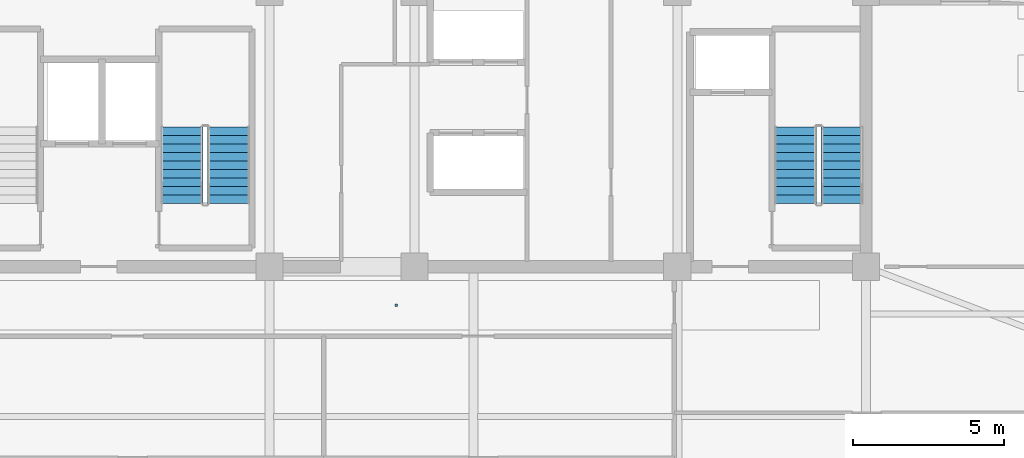
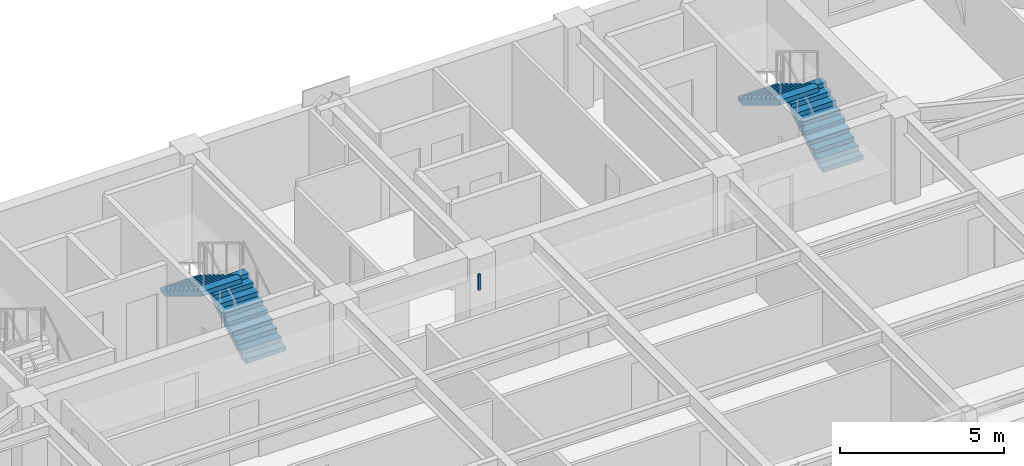
# One storey, part 9 of 13: 4 stair flights, 1 discrete accessory, 2 elements without a shape of their own.
"""IFC4 building model written with IfcOpenShell, lengths in metres."""

from ifc_helpers import new_model, si_unit, direction, frame, origin, origin_2d, place, context, subcontext, project, spatial, polyline, rectangle, outline, extrude, source, transform, mapped, material, type_object, element, aggregate, save


model = new_model("IFC4")

# Units and contexts
model_context = context("Model", 3, precision=1e-05, world=origin(), true_north=direction((0.0, 1.0)))
body_context = subcontext(model_context, "Body", "Model", "MODEL_VIEW")
ifc_project = project(units=[si_unit("LENGTHUNIT", "METRE"), si_unit("AREAUNIT", "SQUARE_METRE"), si_unit("VOLUMEUNIT", "CUBIC_METRE"), si_unit("PLANEANGLEUNIT", "RADIAN"), si_unit("MASSUNIT", "GRAM", prefix="KILO")], contexts=[model_context])

# Site, building, storey
site_placement = place(None, origin())
site = spatial("IfcSite", under=ifc_project, at=site_placement, CompositionType="ELEMENT")
building_placement = place(site_placement, origin())
building = spatial("IfcBuilding", under=site, at=building_placement, Name="Giltprow Tower", CompositionType="ELEMENT")
storey_placement = place(building_placement, frame((0.0, 0.0, 332.300048828125)))
storey = spatial("IfcBuildingStorey", under=building, at=storey_placement, Name="L86", CompositionType="ELEMENT", Elevation=332.300048828125)

# Stair, stair flights
ifc_material_1 = material(Name="Concrete C40", Category="concrete")
stair_type_1 = type_object("IfcStairType", Name="STR-ST-2", PredefinedType="HALF_TURN_STAIR", material=ifc_material_1)
stair_1_placement = place(storey_placement, origin())
stair_1 = element("IfcStair", 1, at=stair_1_placement, inside=storey, type_object=stair_type_1, Name="L86 Core Exit Stair ST-2", PredefinedType="HALF_TURN_STAIR")
stair_flight_type_1 = type_object("IfcStairFlightType", Name="SFL-ST-2", PredefinedType="STRAIGHT", material=ifc_material_1)
stair_flight_1_placement = place(storey_placement, frame((29.4599609375, 39.550048828125, 0.0), z_axis=(0.0, 0.0, 1.0), x_axis=(0.0, 1.0, 0.0)))
stair_flight_1 = element("IfcStairFlight", 2, at=stair_flight_1_placement, type_object=stair_flight_type_1, Name="ST-2 flight 1", NumberOfRisers=10, NumberOfTreads=9, PredefinedType="STRAIGHT", RiserHeight=0.17, TreadLength=0.28, context=body_context, shape_type="SweptSolid", body=[
    extrude(outline(polyline([(0.0, 0.0), (0.0, 0.169921875), (0.280029296875, 0.169921875), (0.280029296875, 0.340087890625), (0.56005859375, 0.340087890625), (0.56005859375, 0.510009765625), (0.840087890625, 0.510009765625), (0.840087890625, 0.679931640625), (1.1201171875, 0.679931640625), (1.1201171875, 0.85009765625), (1.39990234375, 0.85009765625), (1.39990234375, 1.02001953125), (1.679931640625, 1.02001953125), (1.679931640625, 1.18994140625), (1.9599609375, 1.18994140625), (1.9599609375, 1.360107421875), (2.239990234375, 1.360107421875), (2.239990234375, 1.530029296875), (2.52001953125, 1.530029296875), (2.52001953125, 1.699951171875), (2.52001953125, 1.354736328125), (0.288818359375, 0.0), (0.0, 0.0)])), frame((0.0, 0.699951171875, 0.0), z_axis=(0.0, -1.0, 0.0), x_axis=(1.0, 0.0, 0.0)), (0.0, 0.0, 1.0), 1.39990234375),
])
stair_flight_2_placement = place(storey_placement, frame((27.89990234375, 42.070068359375, 1.699951171875), z_axis=(0.0, 0.0, 1.0), x_axis=(0.0, -1.0, 0.0)))
stair_flight_2 = element("IfcStairFlight", 3, at=stair_flight_2_placement, type_object=stair_flight_type_1, Name="ST-2 flight 2", NumberOfRisers=10, NumberOfTreads=9, PredefinedType="STRAIGHT", RiserHeight=0.17, TreadLength=0.28, context=body_context, shape_type="SweptSolid", body=[
    extrude(outline(polyline([(0.0, 0.0), (0.0, 0.169921875), (0.280029296875, 0.169921875), (0.280029296875, 0.340087890625), (0.56005859375, 0.340087890625), (0.56005859375, 0.510009765625), (0.840087890625, 0.510009765625), (0.840087890625, 0.679931640625), (1.1201171875, 0.679931640625), (1.1201171875, 0.85009765625), (1.39990234375, 0.85009765625), (1.39990234375, 1.02001953125), (1.679931640625, 1.02001953125), (1.679931640625, 1.18994140625), (1.9599609375, 1.18994140625), (1.9599609375, 1.360107421875), (2.239990234375, 1.360107421875), (2.239990234375, 1.530029296875), (2.52001953125, 1.530029296875), (2.52001953125, 1.699951171875), (2.52001953125, 1.354736328125), (0.288818359375, 0.0), (0.0, 0.0)])), frame((0.0, 0.699951171875, 0.0), z_axis=(0.0, -1.0, 0.0), x_axis=(1.0, 0.0, 0.0)), (0.0, 0.0, 1.0), 1.39990234375),
])
aggregate(stair_1, [stair_flight_1, stair_flight_2])

stair_type_2 = type_object("IfcStairType", Name="STR-ST-3", PredefinedType="HALF_TURN_STAIR", material=ifc_material_1)
stair_2_placement = place(storey_placement, origin())
stair_2 = element("IfcStair", 4, at=stair_2_placement, inside=storey, type_object=stair_type_2, Name="L86 Core Exit Stair ST-3", PredefinedType="HALF_TURN_STAIR")
stair_flight_type_2 = type_object("IfcStairFlightType", Name="SFL-ST-3", PredefinedType="STRAIGHT", material=ifc_material_1)
stair_flight_3_placement = place(storey_placement, frame((49.760009765625, 39.550048828125, 0.0), z_axis=(0.0, 0.0, 1.0), x_axis=(0.0, 1.0, 0.0)))
stair_flight_3 = element("IfcStairFlight", 5, at=stair_flight_3_placement, type_object=stair_flight_type_2, Name="ST-3 flight 1", NumberOfRisers=10, NumberOfTreads=9, PredefinedType="STRAIGHT", RiserHeight=0.17, TreadLength=0.28, context=body_context, shape_type="SweptSolid", body=[
    extrude(outline(polyline([(0.0, 0.0), (0.0, 0.169921875), (0.280029296875, 0.169921875), (0.280029296875, 0.340087890625), (0.56005859375, 0.340087890625), (0.56005859375, 0.510009765625), (0.840087890625, 0.510009765625), (0.840087890625, 0.679931640625), (1.1201171875, 0.679931640625), (1.1201171875, 0.85009765625), (1.39990234375, 0.85009765625), (1.39990234375, 1.02001953125), (1.679931640625, 1.02001953125), (1.679931640625, 1.18994140625), (1.9599609375, 1.18994140625), (1.9599609375, 1.360107421875), (2.239990234375, 1.360107421875), (2.239990234375, 1.530029296875), (2.52001953125, 1.530029296875), (2.52001953125, 1.699951171875), (2.52001953125, 1.354736328125), (0.288818359375, 0.0), (0.0, 0.0)])), frame((0.0, 0.699951171875, 0.0), z_axis=(0.0, -1.0, 0.0), x_axis=(1.0, 0.0, 0.0)), (0.0, 0.0, 1.0), 1.39990234375),
])
stair_flight_4_placement = place(storey_placement, frame((48.199951171875, 42.070068359375, 1.699951171875), z_axis=(0.0, 0.0, 1.0), x_axis=(0.0, -1.0, 0.0)))
stair_flight_4 = element("IfcStairFlight", 6, at=stair_flight_4_placement, type_object=stair_flight_type_2, Name="ST-3 flight 2", NumberOfRisers=10, NumberOfTreads=9, PredefinedType="STRAIGHT", RiserHeight=0.17, TreadLength=0.28, context=body_context, shape_type="SweptSolid", body=[
    extrude(outline(polyline([(0.0, 0.0), (0.0, 0.169921875), (0.280029296875, 0.169921875), (0.280029296875, 0.340087890625), (0.56005859375, 0.340087890625), (0.56005859375, 0.510009765625), (0.840087890625, 0.510009765625), (0.840087890625, 0.679931640625), (1.1201171875, 0.679931640625), (1.1201171875, 0.85009765625), (1.39990234375, 0.85009765625), (1.39990234375, 1.02001953125), (1.679931640625, 1.02001953125), (1.679931640625, 1.18994140625), (1.9599609375, 1.18994140625), (1.9599609375, 1.360107421875), (2.239990234375, 1.360107421875), (2.239990234375, 1.530029296875), (2.52001953125, 1.530029296875), (2.52001953125, 1.699951171875), (2.52001953125, 1.354736328125), (0.288818359375, 0.0), (0.0, 0.0)])), frame((0.0, 0.699951171875, 0.0), z_axis=(0.0, -1.0, 0.0), x_axis=(1.0, 0.0, 0.0)), (0.0, 0.0, 1.0), 1.39990234375),
])
aggregate(stair_2, [stair_flight_3, stair_flight_4])

# Discrete accessory
ifc_material_2 = material(Name="Structural steel Q355B", Category="steel")
discrete_accessory_type = type_object("IfcDiscreteAccessoryType", Name="ACC-CLG-HANGER", PredefinedType="BRACKET", material=ifc_material_2)
shared_shape = source(origin(), body_context, "Body", "SweptSolid", [
    extrude(rectangle(XDim=0.080078125, YDim=0.080078125, at=origin_2d()), origin(), (0.0, 0.0, 1.0), 0.5849609375),
])
discrete_accessory_placement = place(storey_placement, frame((35.0, 36.175048828125, 2.619384765625), z_axis=(0.0, 0.0, 1.0), x_axis=(1.0, 0.0, 0.0)))
element("IfcDiscreteAccessory", 7, at=discrete_accessory_placement, inside=storey, type_object=discrete_accessory_type, Name="L86 Residence Gallery Ceiling Suspension Hanger", PredefinedType="BRACKET", context=body_context, shape_type="MappedRepresentation", body=[
    mapped(shared_shape, transform((0.0, 0.0, 0.0), x_axis=(1.0, 0.0, 0.0), y_axis=(0.0, 1.0, 0.0), z_axis=(0.0, 0.0, 1.0), scale=1.0)),
])

save(model, "model.ifc")
